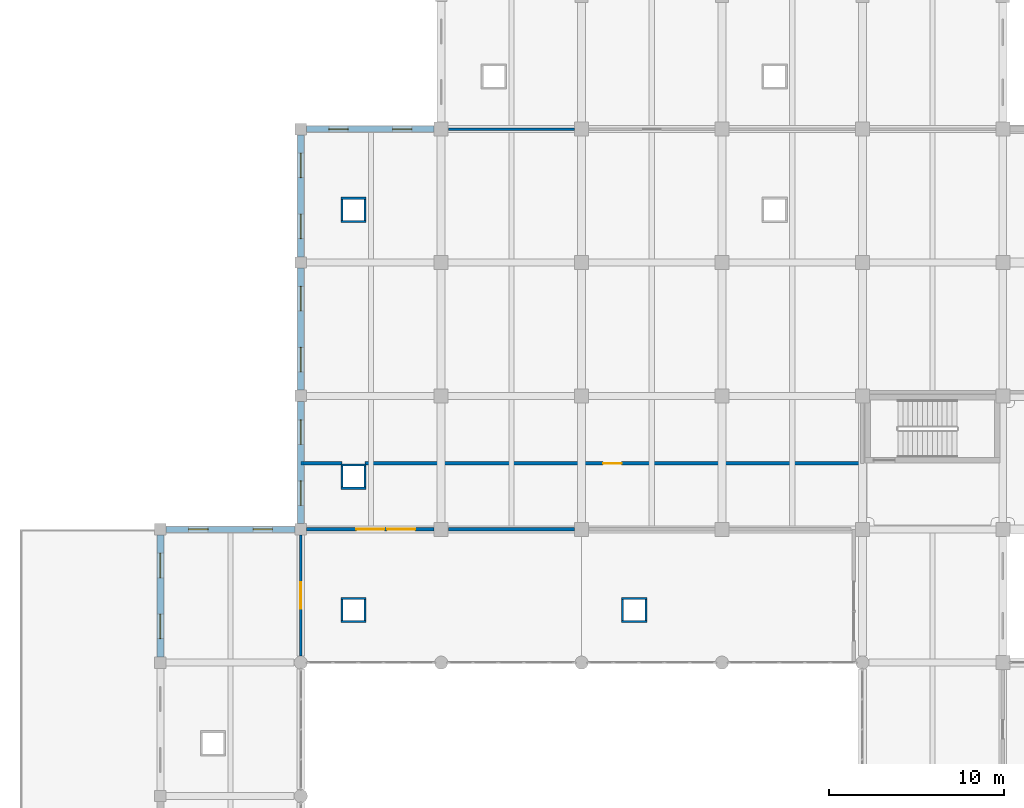
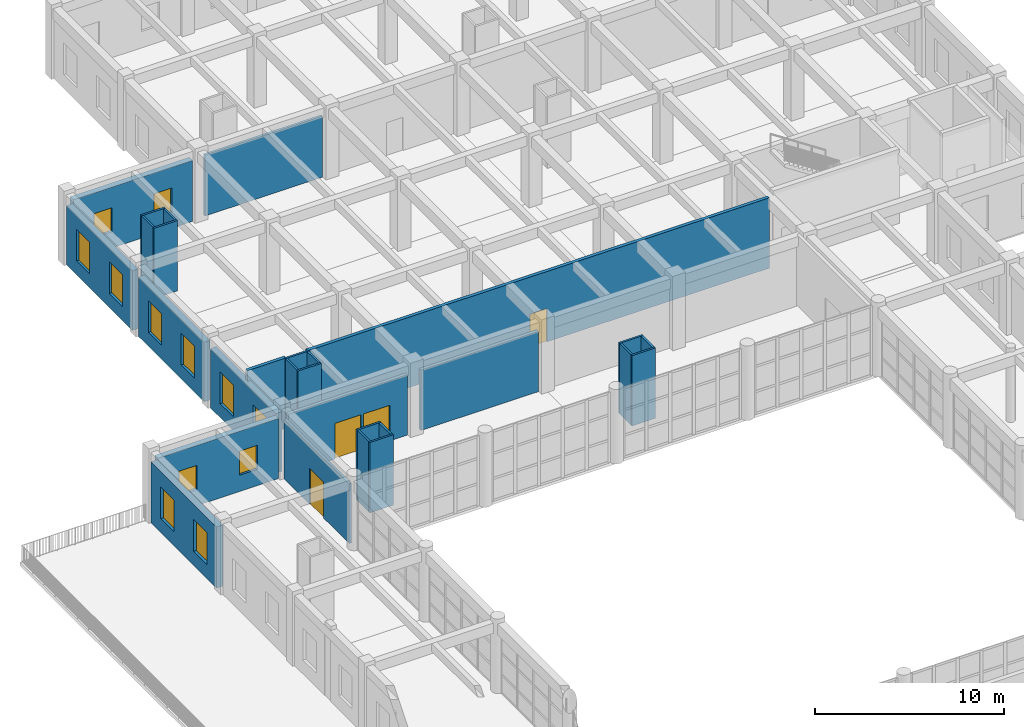
# One storey, part 76 of 101: 28 walls, 12 windows, 4 doors, 16 openings.
"""IFC4 building model written with IfcOpenShell, lengths in metres."""

from ifc_helpers import new_model, si_unit, direction, frame, frame_2d, origin, place, context, subcontext, project, spatial, rectangle, extrude, material, layer, layer_set, type_object, element, fill, save


model = new_model("IFC4")

# Units and contexts
model_context = context("Model", 3, precision=1e-05, world=origin(), true_north=direction((0.0, 1.0)))
body_context = subcontext(model_context, "Body", "Model", "MODEL_VIEW")
ifc_project = project(units=[si_unit("LENGTHUNIT", "METRE"), si_unit("AREAUNIT", "SQUARE_METRE"), si_unit("VOLUMEUNIT", "CUBIC_METRE"), si_unit("PLANEANGLEUNIT", "RADIAN"), si_unit("MASSUNIT", "GRAM", prefix="KILO")], contexts=[model_context])

# Site, building, storey
site_placement = place(None, origin())
site = spatial("IfcSite", under=ifc_project, at=site_placement, CompositionType="ELEMENT")
building_placement = place(site_placement, origin())
building = spatial("IfcBuilding", under=site, at=building_placement, Name="Zantavel Square City Hall", CompositionType="ELEMENT")
storey_placement = place(building_placement, frame((0.0, 0.0, 5.39990234375)))
storey = spatial("IfcBuildingStorey", under=building, at=storey_placement, Name="L02", CompositionType="ELEMENT", Elevation=5.39990234375)

# Wall, openings, windows
ifc_material_1 = material(Name="Cantera volcanic tuff stone", Category="masonry")
ifc_layer_1 = layer(ifc_material_1, 0.39990234375, Name="Cantera volcanic tuff stone")
ifc_layer_set_1 = layer_set([ifc_layer_1], Name="Cantera volcanic tuff stone")
wall_type_1 = type_object("IfcWallType", Name="Civic Pavilion Cantera Ashlar Wall 400mm", PredefinedType="STANDARD", material=ifc_layer_set_1)
wall_1_placement = place(storey_placement, frame((8.0, 68.72509765625, 0.0), z_axis=(0.0, 0.0, 1.0), x_axis=(0.0, 1.0, 0.0)))
wall_1 = element("IfcWall", 1, at=wall_1_placement, inside=storey, type_object=wall_type_1, Name="L02 Exterior Wall EW-L02-097", PredefinedType="STANDARD", context=body_context, shape_type="SweptSolid", body=[
    extrude(rectangle(XDim=6.949951171875, YDim=0.39990234375, at=frame_2d((3.47509765625, 0.0))), origin(), (0.0, 0.0, 1.0), 3.940185546875),
])
opening_1_placement = place(wall_1_placement, frame((1.03759765625, 0.0, 0.89990234375)))
opening_1 = element("IfcOpeningElement", 2, at=opening_1_placement, cuts=wall_1, Name="Opening W-284", PredefinedType="OPENING", context=body_context, shape_type="SweptSolid", body=[
    extrude(rectangle(XDim=1.39990234375, YDim=2.050048828125, at=frame_2d((0.699951171875, 1.02490234375))), frame((0.0, 0.2099609375, 0.0), z_axis=(0.0, -1.0, 0.0), x_axis=(1.0, 0.0, 0.0)), (0.0, 0.0, 1.0), 0.419921875),
])
opening_2_placement = place(wall_1_placement, frame((4.512451171875, 0.0, 0.89990234375)))
opening_2 = element("IfcOpeningElement", 3, at=opening_2_placement, cuts=wall_1, Name="Opening W-285", PredefinedType="OPENING", context=body_context, shape_type="SweptSolid", body=[
    extrude(rectangle(XDim=1.39990234375, YDim=2.050048828125, at=frame_2d((0.699951171875, 1.02490234375))), frame((0.0, 0.2099609375, 0.0), z_axis=(0.0, -1.0, 0.0), x_axis=(1.0, 0.0, 0.0)), (0.0, 0.0, 1.0), 0.419921875),
])
ifc_material_2 = material(Name="Tempered safety glass low-E double glazing", Category="glass")
window_type_1 = type_object("IfcWindowType", Name="Window Mezzanine Courtyard 1400x2050", PartitioningType="DOUBLE_PANEL_VERTICAL", PredefinedType="WINDOW", material=ifc_material_2)
window_1_placement = place(opening_1_placement, origin())
window_1 = element("IfcWindow", 4, at=window_1_placement, inside=storey, type_object=window_type_1, Name="L02 Window W-284", OverallHeight=2.050048828125, OverallWidth=1.39990234375, PartitioningType="DOUBLE_PANEL_VERTICAL", PredefinedType="WINDOW", context=body_context, shape_type="SweptSolid", body=[
    extrude(rectangle(XDim=1.39990234375, YDim=2.050048828125, at=frame_2d((0.699951171875, 1.02490234375))), frame((0.0, 0.030029296875, 0.0), z_axis=(0.0, -1.0, 0.0), x_axis=(1.0, 0.0, 0.0)), (0.0, 0.0, 1.0), 0.06005859375),
])
fill(opening_1, window_1)
window_2_placement = place(opening_2_placement, origin())
window_2 = element("IfcWindow", 5, at=window_2_placement, inside=storey, type_object=window_type_1, Name="L02 Window W-285", OverallHeight=2.050048828125, OverallWidth=1.39990234375, PartitioningType="DOUBLE_PANEL_VERTICAL", PredefinedType="WINDOW", context=body_context, shape_type="SweptSolid", body=[
    extrude(rectangle(XDim=1.39990234375, YDim=2.050048828125, at=frame_2d((0.699951171875, 1.02490234375))), frame((0.0, 0.030029296875, 0.0), z_axis=(0.0, -1.0, 0.0), x_axis=(1.0, 0.0, 0.0)), (0.0, 0.0, 1.0), 0.06005859375),
])
fill(opening_2, window_2)

ifc_layer_2 = layer(ifc_material_1, 0.360107421875, Name="Cantera volcanic tuff stone")
ifc_layer_set_2 = layer_set([ifc_layer_2], Name="Cantera volcanic tuff stone")
wall_type_2 = type_object("IfcWallType", Name="Courtyard Cantera Facade Wall 360mm", PredefinedType="STANDARD", material=ifc_layer_set_2)
wall_2_placement = place(storey_placement, frame((16.0, 76.324951171875, 0.0), z_axis=(0.0, 0.0, 1.0), x_axis=(0.0, 1.0, 0.0)))
wall_2 = element("IfcWall", 6, at=wall_2_placement, inside=storey, type_object=wall_type_2, Name="L02 Exterior Wall EW-L02-002", PredefinedType="STANDARD", context=body_context, shape_type="SweptSolid", body=[
    extrude(rectangle(XDim=6.949951171875, YDim=0.360107421875, at=frame_2d((3.47509765625, 0.0))), origin(), (0.0, 0.0, 1.0), 3.840087890625),
])
opening_3_placement = place(wall_2_placement, frame((1.03759765625, 0.0, 0.89990234375)))
opening_3 = element("IfcOpeningElement", 7, at=opening_3_placement, cuts=wall_2, Name="Opening W-151", PredefinedType="OPENING", context=body_context, shape_type="SweptSolid", body=[
    extrude(rectangle(XDim=1.39990234375, YDim=2.050048828125, at=frame_2d((0.699951171875, 1.02490234375))), frame((0.0, 0.18994140625, 0.0), z_axis=(0.0, -1.0, 0.0), x_axis=(1.0, 0.0, 0.0)), (0.0, 0.0, 1.0), 0.380126953125),
])
opening_4_placement = place(wall_2_placement, frame((4.512451171875, 0.0, 0.89990234375)))
opening_4 = element("IfcOpeningElement", 8, at=opening_4_placement, cuts=wall_2, Name="Opening W-152", PredefinedType="OPENING", context=body_context, shape_type="SweptSolid", body=[
    extrude(rectangle(XDim=1.39990234375, YDim=2.050048828125, at=frame_2d((0.699951171875, 1.02490234375))), frame((0.0, 0.18994140625, 0.0), z_axis=(0.0, -1.0, 0.0), x_axis=(1.0, 0.0, 0.0)), (0.0, 0.0, 1.0), 0.380126953125),
])
window_3_placement = place(opening_3_placement, origin())
window_3 = element("IfcWindow", 9, at=window_3_placement, inside=storey, type_object=window_type_1, Name="L02 Window W-151", OverallHeight=2.050048828125, OverallWidth=1.39990234375, PartitioningType="DOUBLE_PANEL_VERTICAL", PredefinedType="WINDOW", context=body_context, shape_type="SweptSolid", body=[
    extrude(rectangle(XDim=1.39990234375, YDim=2.050048828125, at=frame_2d((0.699951171875, 1.02490234375))), frame((0.0, 0.030029296875, 0.0), z_axis=(0.0, -1.0, 0.0), x_axis=(1.0, 0.0, 0.0)), (0.0, 0.0, 1.0), 0.06005859375),
])
fill(opening_3, window_3)
window_4_placement = place(opening_4_placement, origin())
window_4 = element("IfcWindow", 10, at=window_4_placement, inside=storey, type_object=window_type_1, Name="L02 Window W-152", OverallHeight=2.050048828125, OverallWidth=1.39990234375, PartitioningType="DOUBLE_PANEL_VERTICAL", PredefinedType="WINDOW", context=body_context, shape_type="SweptSolid", body=[
    extrude(rectangle(XDim=1.39990234375, YDim=2.050048828125, at=frame_2d((0.699951171875, 1.02490234375))), frame((0.0, 0.030029296875, 0.0), z_axis=(0.0, -1.0, 0.0), x_axis=(1.0, 0.0, 0.0)), (0.0, 0.0, 1.0), 0.06005859375),
])
fill(opening_4, window_4)

wall_3_placement = place(storey_placement, frame((16.0, 83.925048828125, 0.0), z_axis=(0.0, 0.0, 1.0), x_axis=(0.0, 1.0, 0.0)))
wall_3 = element("IfcWall", 11, at=wall_3_placement, inside=storey, type_object=wall_type_2, Name="L02 Exterior Wall EW-L02-003", PredefinedType="STANDARD", context=body_context, shape_type="SweptSolid", body=[
    extrude(rectangle(XDim=6.949951171875, YDim=0.360107421875, at=frame_2d((3.47509765625, 0.0))), origin(), (0.0, 0.0, 1.0), 3.840087890625),
])
opening_5_placement = place(wall_3_placement, frame((1.03759765625, 0.0, 0.89990234375)))
opening_5 = element("IfcOpeningElement", 12, at=opening_5_placement, cuts=wall_3, Name="Opening W-153", PredefinedType="OPENING", context=body_context, shape_type="SweptSolid", body=[
    extrude(rectangle(XDim=1.39990234375, YDim=2.050048828125, at=frame_2d((0.699951171875, 1.02490234375))), frame((0.0, 0.18994140625, 0.0), z_axis=(0.0, -1.0, 0.0), x_axis=(1.0, 0.0, 0.0)), (0.0, 0.0, 1.0), 0.380126953125),
])
opening_6_placement = place(wall_3_placement, frame((4.512451171875, 0.0, 0.89990234375)))
opening_6 = element("IfcOpeningElement", 13, at=opening_6_placement, cuts=wall_3, Name="Opening W-154", PredefinedType="OPENING", context=body_context, shape_type="SweptSolid", body=[
    extrude(rectangle(XDim=1.39990234375, YDim=2.050048828125, at=frame_2d((0.699951171875, 1.02490234375))), frame((0.0, 0.18994140625, 0.0), z_axis=(0.0, -1.0, 0.0), x_axis=(1.0, 0.0, 0.0)), (0.0, 0.0, 1.0), 0.380126953125),
])
window_5_placement = place(opening_5_placement, origin())
window_5 = element("IfcWindow", 14, at=window_5_placement, inside=storey, type_object=window_type_1, Name="L02 Window W-153", OverallHeight=2.050048828125, OverallWidth=1.39990234375, PartitioningType="DOUBLE_PANEL_VERTICAL", PredefinedType="WINDOW", context=body_context, shape_type="SweptSolid", body=[
    extrude(rectangle(XDim=1.39990234375, YDim=2.050048828125, at=frame_2d((0.699951171875, 1.02490234375))), frame((0.0, 0.030029296875, 0.0), z_axis=(0.0, -1.0, 0.0), x_axis=(1.0, 0.0, 0.0)), (0.0, 0.0, 1.0), 0.06005859375),
])
fill(opening_5, window_5)
window_6_placement = place(opening_6_placement, origin())
window_6 = element("IfcWindow", 15, at=window_6_placement, inside=storey, type_object=window_type_1, Name="L02 Window W-154", OverallHeight=2.050048828125, OverallWidth=1.39990234375, PartitioningType="DOUBLE_PANEL_VERTICAL", PredefinedType="WINDOW", context=body_context, shape_type="SweptSolid", body=[
    extrude(rectangle(XDim=1.39990234375, YDim=2.050048828125, at=frame_2d((0.699951171875, 1.02490234375))), frame((0.0, 0.030029296875, 0.0), z_axis=(0.0, -1.0, 0.0), x_axis=(1.0, 0.0, 0.0)), (0.0, 0.0, 1.0), 0.06005859375),
])
fill(opening_6, window_6)

wall_4_placement = place(storey_placement, frame((16.0, 91.52490234375, 0.0), z_axis=(0.0, 0.0, 1.0), x_axis=(0.0, 1.0, 0.0)))
wall_4 = element("IfcWall", 16, at=wall_4_placement, inside=storey, type_object=wall_type_2, Name="L02 Exterior Wall EW-L02-004", PredefinedType="STANDARD", context=body_context, shape_type="SweptSolid", body=[
    extrude(rectangle(XDim=6.9501953125, YDim=0.360107421875, at=frame_2d((3.47509765625, 0.0))), origin(), (0.0, 0.0, 1.0), 3.840087890625),
])
opening_7_placement = place(wall_4_placement, frame((1.03759765625, 0.0, 0.89990234375)))
opening_7 = element("IfcOpeningElement", 17, at=opening_7_placement, cuts=wall_4, Name="Opening W-155", PredefinedType="OPENING", context=body_context, shape_type="SweptSolid", body=[
    extrude(rectangle(XDim=1.39990234375, YDim=2.050048828125, at=frame_2d((0.699951171875, 1.02490234375))), frame((0.0, 0.18994140625, 0.0), z_axis=(0.0, -1.0, 0.0), x_axis=(1.0, 0.0, 0.0)), (0.0, 0.0, 1.0), 0.380126953125),
])
opening_8_placement = place(wall_4_placement, frame((4.512451171875, 0.0, 0.89990234375)))
opening_8 = element("IfcOpeningElement", 18, at=opening_8_placement, cuts=wall_4, Name="Opening W-156", PredefinedType="OPENING", context=body_context, shape_type="SweptSolid", body=[
    extrude(rectangle(XDim=1.39990234375, YDim=2.050048828125, at=frame_2d((0.699951171875, 1.02490234375))), frame((0.0, 0.18994140625, 0.0), z_axis=(0.0, -1.0, 0.0), x_axis=(1.0, 0.0, 0.0)), (0.0, 0.0, 1.0), 0.380126953125),
])
window_7_placement = place(opening_7_placement, origin())
window_7 = element("IfcWindow", 19, at=window_7_placement, inside=storey, type_object=window_type_1, Name="L02 Window W-155", OverallHeight=2.050048828125, OverallWidth=1.39990234375, PartitioningType="DOUBLE_PANEL_VERTICAL", PredefinedType="WINDOW", context=body_context, shape_type="SweptSolid", body=[
    extrude(rectangle(XDim=1.39990234375, YDim=2.050048828125, at=frame_2d((0.699951171875, 1.02490234375))), frame((0.0, 0.030029296875, 0.0), z_axis=(0.0, -1.0, 0.0), x_axis=(1.0, 0.0, 0.0)), (0.0, 0.0, 1.0), 0.06005859375),
])
fill(opening_7, window_7)
window_8_placement = place(opening_8_placement, origin())
window_8 = element("IfcWindow", 20, at=window_8_placement, inside=storey, type_object=window_type_1, Name="L02 Window W-156", OverallHeight=2.050048828125, OverallWidth=1.39990234375, PartitioningType="DOUBLE_PANEL_VERTICAL", PredefinedType="WINDOW", context=body_context, shape_type="SweptSolid", body=[
    extrude(rectangle(XDim=1.39990234375, YDim=2.050048828125, at=frame_2d((0.699951171875, 1.02490234375))), frame((0.0, 0.030029296875, 0.0), z_axis=(0.0, -1.0, 0.0), x_axis=(1.0, 0.0, 0.0)), (0.0, 0.0, 1.0), 0.06005859375),
])
fill(opening_8, window_8)

# Wall, opening, door
ifc_material_3 = material(Name="Gypsum acoustic stud assembly", Category="masonry")
ifc_layer_3 = layer(ifc_material_3, 0.14990234375, Name="Gypsum acoustic stud assembly")
ifc_layer_set_3 = layer_set([ifc_layer_3], Name="Gypsum acoustic stud assembly")
wall_type_3 = type_object("IfcWallType", Name="Department Office Partition 150mm", PredefinedType="PARTITIONING", material=ifc_layer_set_3)
wall_5_placement = place(storey_placement, frame((16.0, 75.6650390625, 0.0), z_axis=(0.0, 0.0, 1.0), x_axis=(0.0, -1.0, 0.0)))
wall_5 = element("IfcWall", 21, at=wall_5_placement, inside=storey, type_object=wall_type_3, Name="L02 Interior Wall IW-L02-0186", PredefinedType="PARTITIONING", context=body_context, shape_type="SweptSolid", body=[
    extrude(rectangle(XDim=6.880126953125, YDim=0.14990234375, at=frame_2d((3.43994140625, 0.0))), origin(), (0.0, 0.0, 1.0), 3.840087890625),
])
opening_9_placement = place(wall_5_placement, frame((2.68994140625, 0.0, 0.0)))
opening_9 = element("IfcOpeningElement", 22, at=opening_9_placement, cuts=wall_5, Name="Opening D-0105", PredefinedType="OPENING", context=body_context, shape_type="SweptSolid", body=[
    extrude(rectangle(XDim=1.5, YDim=2.300048828125, at=frame_2d((0.75, 1.14990234375))), frame((0.0, 0.0849609375, 0.0), z_axis=(0.0, -1.0, 0.0), x_axis=(1.0, 0.0, 0.0)), (0.0, 0.0, 1.0), 0.169921875),
])
ifc_material_4 = material(Name="Anodised aluminium 6063-T6", Category="aluminium")
door_type_1 = type_object("IfcDoorType", Name="Library Reading Glazed Double Door 1500x2300", OperationType="NOTDEFINED", PredefinedType="DOOR", material=ifc_material_4)
door_1_placement = place(opening_9_placement, origin())
door_1 = element("IfcDoor", 23, at=door_1_placement, inside=storey, type_object=door_type_1, Name="L02 Gazette and Periodicals Room Door", OperationType="DOUBLE_DOOR_SINGLE_SWING", OverallHeight=2.300048828125, OverallWidth=1.5, PredefinedType="DOOR", context=body_context, shape_type="SweptSolid", body=[
    extrude(rectangle(XDim=1.5, YDim=2.300048828125, at=frame_2d((0.75, 1.14990234375))), frame((0.0, 0.02490234375, 0.0), z_axis=(0.0, -1.0, 0.0), x_axis=(1.0, 0.0, 0.0)), (0.0, 0.0, 1.0), 0.050048828125),
])
fill(opening_9, door_1)

# Wall
wall_6_placement = place(storey_placement, frame((24.409912109375, 98.800048828125, 0.0), z_axis=(0.0, 0.0, 1.0), x_axis=(1.0, 0.0, 0.0)))
element("IfcWall", 24, at=wall_6_placement, inside=storey, type_object=wall_type_3, Name="L02 Interior Wall IW-L02-0217", PredefinedType="PARTITIONING", context=body_context, shape_type="SweptSolid", body=[
    extrude(rectangle(XDim=7.18017578125, YDim=0.14990234375, at=frame_2d((3.590087890625, 0.0))), origin(), (0.0, 0.0, 1.0), 3.940185546875),
])

# Wall, openings, doors
ifc_layer_4 = layer(ifc_material_1, 0.199951171875, Name="Cantera volcanic tuff stone")
ifc_layer_set_4 = layer_set([ifc_layer_4], Name="Cantera volcanic tuff stone")
wall_type_4 = type_object("IfcWallType", Name="Exit Corridor Rated Wall 200mm", PredefinedType="STANDARD", material=ifc_layer_set_4)
wall_7_placement = place(storey_placement, frame((16.3349609375, 76.0, 0.0), z_axis=(0.0, 0.0, 1.0), x_axis=(1.0, 0.0, 0.0)))
wall_7 = element("IfcWall", 25, at=wall_7_placement, inside=storey, type_object=wall_type_4, Name="L02 Interior Wall IW-L02-0189", PredefinedType="STANDARD", context=body_context, shape_type="SweptSolid", body=[
    extrude(rectangle(XDim=7.255126953125, YDim=0.199951171875, at=frame_2d((3.62744140625, 0.0))), origin(), (0.0, 0.0, 1.0), 3.89013671875),
])
opening_10_placement = place(wall_7_placement, frame((2.827392578125, 0.0, 0.0)))
opening_10 = element("IfcOpeningElement", 26, at=opening_10_placement, cuts=wall_7, Name="Opening D-0085", PredefinedType="OPENING", context=body_context, shape_type="SweptSolid", body=[
    extrude(rectangle(XDim=1.60009765625, YDim=2.300048828125, at=frame_2d((0.800048828125, 1.14990234375))), frame((0.0, 0.10986328125, 0.0), z_axis=(0.0, -1.0, 0.0), x_axis=(1.0, 0.0, 0.0)), (0.0, 0.0, 1.0), 0.219970703125),
])
opening_11_placement = place(wall_7_placement, frame((4.577392578125, 0.0, 0.0)))
opening_11 = element("IfcOpeningElement", 27, at=opening_11_placement, cuts=wall_7, Name="Opening D-0107", PredefinedType="OPENING", context=body_context, shape_type="SweptSolid", body=[
    extrude(rectangle(XDim=1.60009765625, YDim=2.300048828125, at=frame_2d((0.800048828125, 1.14990234375))), frame((0.0, 0.10986328125, 0.0), z_axis=(0.0, -1.0, 0.0), x_axis=(1.0, 0.0, 0.0)), (0.0, 0.0, 1.0), 0.219970703125),
])
ifc_material_5 = material(Name="Solid oak hardwood", Category="wood")
door_type_2 = type_object("IfcDoorType", Name="Committee Suite Fire Double Door 1600x2300 FD60S", OperationType="NOTDEFINED", PredefinedType="DOOR", material=ifc_material_5)
door_2_placement = place(opening_10_placement, origin())
door_2 = element("IfcDoor", 28, at=door_2_placement, inside=storey, type_object=door_type_2, Name="L02 Gazette and Periodicals Room Door", OperationType="DOUBLE_DOOR_SINGLE_SWING", OverallHeight=2.300048828125, OverallWidth=1.60009765625, PredefinedType="DOOR", context=body_context, shape_type="SweptSolid", body=[
    extrude(rectangle(XDim=1.60009765625, YDim=2.300048828125, at=frame_2d((0.800048828125, 1.14990234375))), frame((0.0, 0.02490234375, 0.0), z_axis=(0.0, -1.0, 0.0), x_axis=(1.0, 0.0, 0.0)), (0.0, 0.0, 1.0), 0.050048828125),
])
fill(opening_10, door_2)
door_3_placement = place(opening_11_placement, origin())
door_3 = element("IfcDoor", 29, at=door_3_placement, inside=storey, type_object=door_type_2, Name="L02 Gazette and Periodicals Room Door", OperationType="DOUBLE_DOOR_SINGLE_SWING", OverallHeight=2.300048828125, OverallWidth=1.60009765625, PredefinedType="DOOR", context=body_context, shape_type="SweptSolid", body=[
    extrude(rectangle(XDim=1.60009765625, YDim=2.300048828125, at=frame_2d((0.800048828125, 1.14990234375))), frame((0.0, 0.02490234375, 0.0), z_axis=(0.0, -1.0, 0.0), x_axis=(1.0, 0.0, 0.0)), (0.0, 0.0, 1.0), 0.050048828125),
])
fill(opening_11, door_3)

# Wall
wall_8_placement = place(storey_placement, frame((24.409912109375, 76.0, 0.0), z_axis=(0.0, 0.0, 1.0), x_axis=(1.0, 0.0, 0.0)))
element("IfcWall", 30, at=wall_8_placement, inside=storey, type_object=wall_type_4, Name="L02 Interior Wall IW-L02-0190", PredefinedType="STANDARD", context=body_context, shape_type="SweptSolid", body=[
    extrude(rectangle(XDim=7.18017578125, YDim=0.199951171875, at=frame_2d((3.590087890625, 0.0))), origin(), (0.0, 0.0, 1.0), 3.89013671875),
])

# Wall, opening, door
wall_9_placement = place(storey_placement, frame((47.85009765625, 79.75, 0.0), z_axis=(0.0, 0.0, 1.0), x_axis=(-1.0, 0.0, 0.0)))
wall_9 = element("IfcWall", 31, at=wall_9_placement, inside=storey, type_object=wall_type_4, Name="L02 Interior Wall IW-L02-0221", PredefinedType="STANDARD", context=body_context, shape_type="SweptSolid", body=[
    extrude(rectangle(XDim=28.195068359375, YDim=0.199951171875, at=frame_2d((14.09765625, 0.0))), origin(), (0.0, 0.0, 1.0), 4.5400390625),
])
opening_12_placement = place(wall_9_placement, frame((13.572509765625, 0.0, 0.0)))
opening_12 = element("IfcOpeningElement", 32, at=opening_12_placement, cuts=wall_9, Name="Opening D-0095", PredefinedType="OPENING", context=body_context, shape_type="SweptSolid", body=[
    extrude(rectangle(XDim=1.050048828125, YDim=2.14990234375, at=frame_2d((0.52490234375, 1.074951171875))), frame((0.0, 0.10986328125, 0.0), z_axis=(0.0, -1.0, 0.0), x_axis=(1.0, 0.0, 0.0)), (0.0, 0.0, 1.0), 0.219970703125),
])
door_type_3 = type_object("IfcDoorType", Name="Corridor Office Oak Fire Door 1050x2150 FD60S", OperationType="NOTDEFINED", PredefinedType="DOOR", material=ifc_material_5)
door_4_placement = place(opening_12_placement, origin())
door_4 = element("IfcDoor", 33, at=door_4_placement, inside=storey, type_object=door_type_3, Name="L02 Cadastral Cartography Office Door", OperationType="SINGLE_SWING_LEFT", OverallHeight=2.14990234375, OverallWidth=1.050048828125, PredefinedType="DOOR", context=body_context, shape_type="SweptSolid", body=[
    extrude(rectangle(XDim=1.050048828125, YDim=2.14990234375, at=frame_2d((0.52490234375, 1.074951171875))), frame((0.0, 0.02490234375, 0.0), z_axis=(0.0, -1.0, 0.0), x_axis=(1.0, 0.0, 0.0)), (0.0, 0.0, 1.0), 0.050048828125),
])
fill(opening_12, door_4)

# Wall
wall_10_placement = place(storey_placement, frame((18.344970703125, 79.75, 0.0), z_axis=(0.0, 0.0, 1.0), x_axis=(-1.0, 0.0, 0.0)))
element("IfcWall", 34, at=wall_10_placement, inside=storey, type_object=wall_type_4, Name="L02 Interior Wall IW-L02-0222", PredefinedType="STANDARD", context=body_context, shape_type="SweptSolid", body=[
    extrude(rectangle(XDim=2.344970703125, YDim=0.199951171875, at=frame_2d((1.17236328125, 0.0))), origin(), (0.0, 0.0, 1.0), 4.5400390625),
])

# Wall, openings, windows
ifc_layer_5 = layer(ifc_material_1, 0.340087890625, Name="Cantera volcanic tuff stone")
ifc_layer_set_5 = layer_set([ifc_layer_5], Name="Cantera volcanic tuff stone")
wall_type_5 = type_object("IfcWallType", Name="North Insulated Cantera Wall 340mm", PredefinedType="STANDARD", material=ifc_layer_set_5)
wall_11_placement = place(storey_placement, frame((8.324951171875, 76.0, 0.0), z_axis=(0.0, 0.0, 1.0), x_axis=(1.0, 0.0, 0.0)))
wall_11 = element("IfcWall", 35, at=wall_11_placement, inside=storey, type_object=wall_type_5, Name="L02 Exterior Wall EW-L02-001", PredefinedType="STANDARD", context=body_context, shape_type="SweptSolid", body=[
    extrude(rectangle(XDim=7.35009765625, YDim=0.340087890625, at=frame_2d((3.675048828125, 0.0))), origin(), (0.0, 0.0, 1.0), 3.89013671875),
])
opening_13_placement = place(wall_11_placement, frame((1.28759765625, 0.0, 1.050048828125)))
opening_13 = element("IfcOpeningElement", 36, at=opening_13_placement, cuts=wall_11, Name="Opening W-149", PredefinedType="OPENING", context=body_context, shape_type="SweptSolid", body=[
    extrude(rectangle(XDim=1.10009765625, YDim=1.550048828125, at=frame_2d((0.550048828125, 0.77490234375))), frame((0.0, 0.179931640625, 0.0), z_axis=(0.0, -1.0, 0.0), x_axis=(1.0, 0.0, 0.0)), (0.0, 0.0, 1.0), 0.360107421875),
])
opening_14_placement = place(wall_11_placement, frame((4.96240234375, 0.0, 1.050048828125)))
opening_14 = element("IfcOpeningElement", 37, at=opening_14_placement, cuts=wall_11, Name="Opening W-150", PredefinedType="OPENING", context=body_context, shape_type="SweptSolid", body=[
    extrude(rectangle(XDim=1.10009765625, YDim=1.550048828125, at=frame_2d((0.550048828125, 0.77490234375))), frame((0.0, 0.179931640625, 0.0), z_axis=(0.0, -1.0, 0.0), x_axis=(1.0, 0.0, 0.0)), (0.0, 0.0, 1.0), 0.360107421875),
])
window_type_2 = type_object("IfcWindowType", Name="Window Mezzanine North 1100x1550", PartitioningType="SINGLE_PANEL", PredefinedType="WINDOW", material=ifc_material_2)
window_9_placement = place(opening_13_placement, origin())
window_9 = element("IfcWindow", 38, at=window_9_placement, inside=storey, type_object=window_type_2, Name="L02 Window W-149", OverallHeight=1.550048828125, OverallWidth=1.10009765625, PartitioningType="SINGLE_PANEL", PredefinedType="WINDOW", context=body_context, shape_type="SweptSolid", body=[
    extrude(rectangle(XDim=1.10009765625, YDim=1.550048828125, at=frame_2d((0.550048828125, 0.77490234375))), frame((0.0, 0.030029296875, 0.0), z_axis=(0.0, -1.0, 0.0), x_axis=(1.0, 0.0, 0.0)), (0.0, 0.0, 1.0), 0.06005859375),
])
fill(opening_13, window_9)
window_10_placement = place(opening_14_placement, origin())
window_10 = element("IfcWindow", 39, at=window_10_placement, inside=storey, type_object=window_type_2, Name="L02 Window W-150", OverallHeight=1.550048828125, OverallWidth=1.10009765625, PartitioningType="SINGLE_PANEL", PredefinedType="WINDOW", context=body_context, shape_type="SweptSolid", body=[
    extrude(rectangle(XDim=1.10009765625, YDim=1.550048828125, at=frame_2d((0.550048828125, 0.77490234375))), frame((0.0, 0.030029296875, 0.0), z_axis=(0.0, -1.0, 0.0), x_axis=(1.0, 0.0, 0.0)), (0.0, 0.0, 1.0), 0.06005859375),
])
fill(opening_14, window_10)

wall_12_placement = place(storey_placement, frame((16.324951171875, 98.800048828125, 0.0), z_axis=(0.0, 0.0, 1.0), x_axis=(1.0, 0.0, 0.0)))
wall_12 = element("IfcWall", 40, at=wall_12_placement, inside=storey, type_object=wall_type_5, Name="L02 Exterior Wall EW-L02-005", PredefinedType="STANDARD", context=body_context, shape_type="SweptSolid", body=[
    extrude(rectangle(XDim=7.275146484375, YDim=0.340087890625, at=frame_2d((3.6376953125, 0.0))), origin(), (0.0, 0.0, 1.0), 3.940185546875),
])
opening_15_placement = place(wall_12_placement, frame((1.268798828125, 0.0, 1.050048828125)))
opening_15 = element("IfcOpeningElement", 41, at=opening_15_placement, cuts=wall_12, Name="Opening W-157", PredefinedType="OPENING", context=body_context, shape_type="SweptSolid", body=[
    extrude(rectangle(XDim=1.10009765625, YDim=1.550048828125, at=frame_2d((0.550048828125, 0.77490234375))), frame((0.0, 0.179931640625, 0.0), z_axis=(0.0, -1.0, 0.0), x_axis=(1.0, 0.0, 0.0)), (0.0, 0.0, 1.0), 0.360107421875),
])
opening_16_placement = place(wall_12_placement, frame((4.90625, 0.0, 1.050048828125)))
opening_16 = element("IfcOpeningElement", 42, at=opening_16_placement, cuts=wall_12, Name="Opening W-158", PredefinedType="OPENING", context=body_context, shape_type="SweptSolid", body=[
    extrude(rectangle(XDim=1.10009765625, YDim=1.550048828125, at=frame_2d((0.550048828125, 0.77490234375))), frame((0.0, 0.179931640625, 0.0), z_axis=(0.0, -1.0, 0.0), x_axis=(1.0, 0.0, 0.0)), (0.0, 0.0, 1.0), 0.360107421875),
])
window_11_placement = place(opening_15_placement, origin())
window_11 = element("IfcWindow", 43, at=window_11_placement, inside=storey, type_object=window_type_2, Name="L02 Window W-157", OverallHeight=1.550048828125, OverallWidth=1.10009765625, PartitioningType="SINGLE_PANEL", PredefinedType="WINDOW", context=body_context, shape_type="SweptSolid", body=[
    extrude(rectangle(XDim=1.10009765625, YDim=1.550048828125, at=frame_2d((0.550048828125, 0.77490234375))), frame((0.0, 0.030029296875, 0.0), z_axis=(0.0, -1.0, 0.0), x_axis=(1.0, 0.0, 0.0)), (0.0, 0.0, 1.0), 0.06005859375),
])
fill(opening_15, window_11)
window_12_placement = place(opening_16_placement, origin())
window_12 = element("IfcWindow", 44, at=window_12_placement, inside=storey, type_object=window_type_2, Name="L02 Window W-158", OverallHeight=1.550048828125, OverallWidth=1.10009765625, PartitioningType="SINGLE_PANEL", PredefinedType="WINDOW", context=body_context, shape_type="SweptSolid", body=[
    extrude(rectangle(XDim=1.10009765625, YDim=1.550048828125, at=frame_2d((0.550048828125, 0.77490234375))), frame((0.0, 0.030029296875, 0.0), z_axis=(0.0, -1.0, 0.0), x_axis=(1.0, 0.0, 0.0)), (0.0, 0.0, 1.0), 0.06005859375),
])
fill(opening_16, window_12)

# Walls
ifc_material_6 = material(Name="Concrete C35/45", Category="concrete")
ifc_layer_6 = layer(ifc_material_6, 0.1201171875, Name="Concrete C35/45")
ifc_layer_set_6 = layer_set([ifc_layer_6], Name="Concrete C35/45")
wall_type_6 = type_object("IfcWallType", Name="Riser Chase Wall RC 120mm C35/45", PredefinedType="PARTITIONING", material=ifc_layer_set_6)
wall_13_placement = place(storey_placement, frame((19.719970703125, 70.739990234375, 0.0), z_axis=(0.0, 0.0, 1.0), x_axis=(-1.0, 0.0, 0.0)))
element("IfcWall", 45, at=wall_13_placement, inside=storey, type_object=wall_type_6, Name="L02 MEP Riser 16 Wall S", PredefinedType="PARTITIONING", context=body_context, shape_type="SweptSolid", body=[
    extrude(rectangle(XDim=1.43994140625, YDim=0.1201171875, at=frame_2d((0.719970703125, 0.0))), origin(), (0.0, 0.0, 1.0), 4.5400390625),
])
wall_14_placement = place(storey_placement, frame((18.340087890625, 70.800048828125, 0.0), z_axis=(0.0, 0.0, 1.0), x_axis=(0.0, 1.0, 0.0)))
element("IfcWall", 46, at=wall_14_placement, inside=storey, type_object=wall_type_6, Name="L02 MEP Riser 16 Wall W", PredefinedType="PARTITIONING", context=body_context, shape_type="SweptSolid", body=[
    extrude(rectangle(XDim=1.199951171875, YDim=0.1201171875, at=frame_2d((0.60009765625, 0.0))), origin(), (0.0, 0.0, 1.0), 4.5400390625),
])
wall_15_placement = place(storey_placement, frame((18.280029296875, 72.06005859375, 0.0), z_axis=(0.0, 0.0, 1.0), x_axis=(1.0, 0.0, 0.0)))
element("IfcWall", 47, at=wall_15_placement, inside=storey, type_object=wall_type_6, Name="L02 MEP Riser 16 Wall N", PredefinedType="PARTITIONING", context=body_context, shape_type="SweptSolid", body=[
    extrude(rectangle(XDim=1.43994140625, YDim=0.1201171875, at=frame_2d((0.719970703125, 0.0))), origin(), (0.0, 0.0, 1.0), 4.5400390625),
])
wall_16_placement = place(storey_placement, frame((19.659912109375, 72.0, 0.0), z_axis=(0.0, 0.0, 1.0), x_axis=(0.0, -1.0, 0.0)))
element("IfcWall", 48, at=wall_16_placement, inside=storey, type_object=wall_type_6, Name="L02 MEP Riser 16 Wall E", PredefinedType="PARTITIONING", context=body_context, shape_type="SweptSolid", body=[
    extrude(rectangle(XDim=1.199951171875, YDim=0.1201171875, at=frame_2d((0.60009765625, 0.0))), origin(), (0.0, 0.0, 1.0), 4.5400390625),
])
wall_17_placement = place(storey_placement, frame((35.719970703125, 70.739990234375, 0.0), z_axis=(0.0, 0.0, 1.0), x_axis=(-1.0, 0.0, 0.0)))
element("IfcWall", 49, at=wall_17_placement, inside=storey, type_object=wall_type_6, Name="L02 MEP Riser 17 Wall S", PredefinedType="PARTITIONING", context=body_context, shape_type="SweptSolid", body=[
    extrude(rectangle(XDim=1.43994140625, YDim=0.1201171875, at=frame_2d((0.719970703125, 0.0))), origin(), (0.0, 0.0, 1.0), 4.5400390625),
])
wall_18_placement = place(storey_placement, frame((34.340087890625, 70.800048828125, 0.0), z_axis=(0.0, 0.0, 1.0), x_axis=(0.0, 1.0, 0.0)))
element("IfcWall", 50, at=wall_18_placement, inside=storey, type_object=wall_type_6, Name="L02 MEP Riser 17 Wall W", PredefinedType="PARTITIONING", context=body_context, shape_type="SweptSolid", body=[
    extrude(rectangle(XDim=1.199951171875, YDim=0.1201171875, at=frame_2d((0.60009765625, 0.0))), origin(), (0.0, 0.0, 1.0), 4.5400390625),
])
wall_19_placement = place(storey_placement, frame((34.280029296875, 72.06005859375, 0.0), z_axis=(0.0, 0.0, 1.0), x_axis=(1.0, 0.0, 0.0)))
element("IfcWall", 51, at=wall_19_placement, inside=storey, type_object=wall_type_6, Name="L02 MEP Riser 17 Wall N", PredefinedType="PARTITIONING", context=body_context, shape_type="SweptSolid", body=[
    extrude(rectangle(XDim=1.43994140625, YDim=0.1201171875, at=frame_2d((0.719970703125, 0.0))), origin(), (0.0, 0.0, 1.0), 4.5400390625),
])
wall_20_placement = place(storey_placement, frame((35.659912109375, 72.0, 0.0), z_axis=(0.0, 0.0, 1.0), x_axis=(0.0, -1.0, 0.0)))
element("IfcWall", 52, at=wall_20_placement, inside=storey, type_object=wall_type_6, Name="L02 MEP Riser 17 Wall E", PredefinedType="PARTITIONING", context=body_context, shape_type="SweptSolid", body=[
    extrude(rectangle(XDim=1.199951171875, YDim=0.1201171875, at=frame_2d((0.60009765625, 0.0))), origin(), (0.0, 0.0, 1.0), 4.5400390625),
])
wall_21_placement = place(storey_placement, frame((19.719970703125, 78.340087890625, 0.0), z_axis=(0.0, 0.0, 1.0), x_axis=(-1.0, 0.0, 0.0)))
element("IfcWall", 53, at=wall_21_placement, inside=storey, type_object=wall_type_6, Name="L02 MEP Riser 22 Wall S", PredefinedType="PARTITIONING", context=body_context, shape_type="SweptSolid", body=[
    extrude(rectangle(XDim=1.43994140625, YDim=0.1201171875, at=frame_2d((0.719970703125, 0.0))), origin(), (0.0, 0.0, 1.0), 4.5400390625),
])
wall_22_placement = place(storey_placement, frame((18.340087890625, 78.39990234375, 0.0), z_axis=(0.0, 0.0, 1.0), x_axis=(0.0, 1.0, 0.0)))
element("IfcWall", 54, at=wall_22_placement, inside=storey, type_object=wall_type_6, Name="L02 MEP Riser 22 Wall W", PredefinedType="PARTITIONING", context=body_context, shape_type="SweptSolid", body=[
    extrude(rectangle(XDim=1.2001953125, YDim=0.1201171875, at=frame_2d((0.60009765625, 0.0))), origin(), (0.0, 0.0, 1.0), 4.5400390625),
])
wall_23_placement = place(storey_placement, frame((18.280029296875, 79.659912109375, 0.0), z_axis=(0.0, 0.0, 1.0), x_axis=(1.0, 0.0, 0.0)))
element("IfcWall", 55, at=wall_23_placement, inside=storey, type_object=wall_type_6, Name="L02 MEP Riser 22 Wall N", PredefinedType="PARTITIONING", context=body_context, shape_type="SweptSolid", body=[
    extrude(rectangle(XDim=1.43994140625, YDim=0.1201171875, at=frame_2d((0.719970703125, 0.0))), origin(), (0.0, 0.0, 1.0), 4.5400390625),
])
wall_24_placement = place(storey_placement, frame((19.659912109375, 79.60009765625, 0.0), z_axis=(0.0, 0.0, 1.0), x_axis=(0.0, -1.0, 0.0)))
element("IfcWall", 56, at=wall_24_placement, inside=storey, type_object=wall_type_6, Name="L02 MEP Riser 22 Wall E", PredefinedType="PARTITIONING", context=body_context, shape_type="SweptSolid", body=[
    extrude(rectangle(XDim=1.2001953125, YDim=0.1201171875, at=frame_2d((0.60009765625, 0.0))), origin(), (0.0, 0.0, 1.0), 4.5400390625),
])
wall_25_placement = place(storey_placement, frame((19.719970703125, 93.5400390625, 0.0), z_axis=(0.0, 0.0, 1.0), x_axis=(-1.0, 0.0, 0.0)))
element("IfcWall", 57, at=wall_25_placement, inside=storey, type_object=wall_type_6, Name="L02 MEP Riser 23 Wall S", PredefinedType="PARTITIONING", context=body_context, shape_type="SweptSolid", body=[
    extrude(rectangle(XDim=1.43994140625, YDim=0.1201171875, at=frame_2d((0.719970703125, 0.0))), origin(), (0.0, 0.0, 1.0), 4.5400390625),
])
wall_26_placement = place(storey_placement, frame((18.340087890625, 93.60009765625, 0.0), z_axis=(0.0, 0.0, 1.0), x_axis=(0.0, 1.0, 0.0)))
element("IfcWall", 58, at=wall_26_placement, inside=storey, type_object=wall_type_6, Name="L02 MEP Riser 23 Wall W", PredefinedType="PARTITIONING", context=body_context, shape_type="SweptSolid", body=[
    extrude(rectangle(XDim=1.199951171875, YDim=0.1201171875, at=frame_2d((0.60009765625, 0.0))), origin(), (0.0, 0.0, 1.0), 4.5400390625),
])
wall_27_placement = place(storey_placement, frame((18.280029296875, 94.860107421875, 0.0), z_axis=(0.0, 0.0, 1.0), x_axis=(1.0, 0.0, 0.0)))
element("IfcWall", 59, at=wall_27_placement, inside=storey, type_object=wall_type_6, Name="L02 MEP Riser 23 Wall N", PredefinedType="PARTITIONING", context=body_context, shape_type="SweptSolid", body=[
    extrude(rectangle(XDim=1.43994140625, YDim=0.1201171875, at=frame_2d((0.719970703125, 0.0))), origin(), (0.0, 0.0, 1.0), 4.5400390625),
])
wall_28_placement = place(storey_placement, frame((19.659912109375, 94.800048828125, 0.0), z_axis=(0.0, 0.0, 1.0), x_axis=(0.0, -1.0, 0.0)))
element("IfcWall", 60, at=wall_28_placement, inside=storey, type_object=wall_type_6, Name="L02 MEP Riser 23 Wall E", PredefinedType="PARTITIONING", context=body_context, shape_type="SweptSolid", body=[
    extrude(rectangle(XDim=1.199951171875, YDim=0.1201171875, at=frame_2d((0.60009765625, 0.0))), origin(), (0.0, 0.0, 1.0), 4.5400390625),
])

save(model, "model.ifc")
